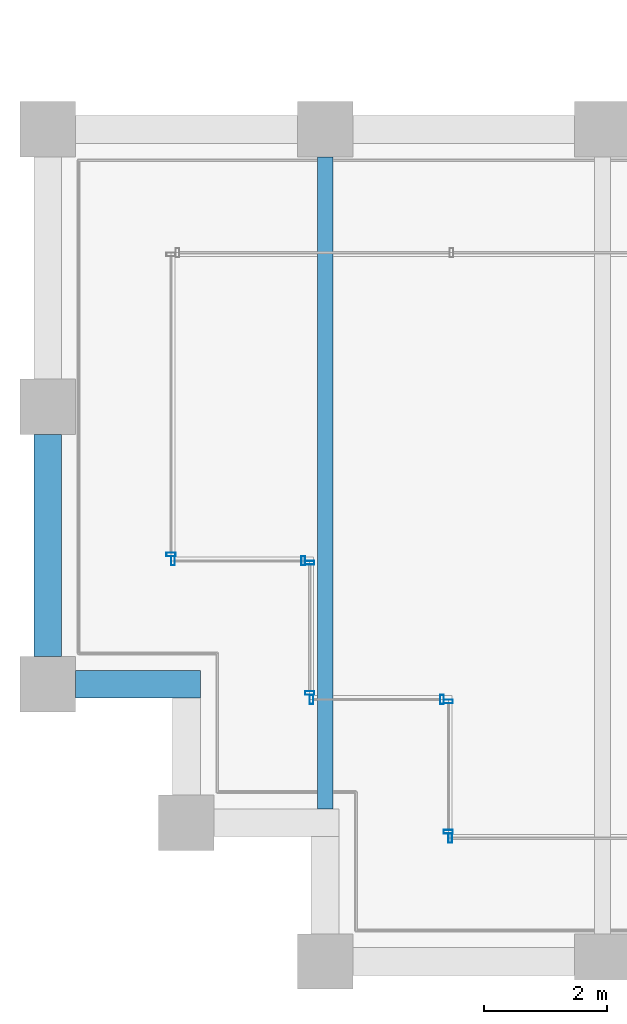
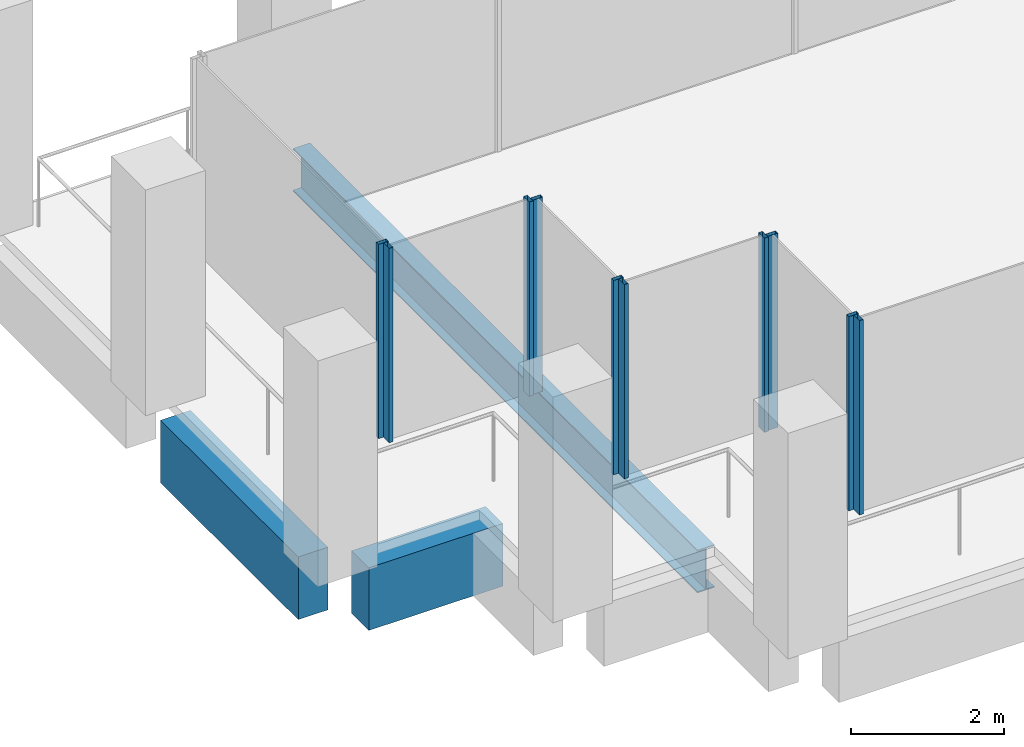
# One storey, part 2 of 40: 10 members, 3 beams, 6 elements without a shape of their own.
"""IFC4 building model written with IfcOpenShell, lengths in metres."""

import ifcopenshell
import ifcopenshell.guid

model = None  # the IFC model being written
_history = None  # IfcOwnerHistory: only IFC2X3 demands one
_inside = {}  # id of a spatial element -> (the spatial element, [elements in it])
_under = {}  # id of a project, library or spatial element -> (it, [spatial elements below it])
_declared = {}  # id of a project -> (the project, [libraries it declares])
_typed = {}  # id of a type object -> (the type object, [elements of that type])
_made_of = {}  # id of a material, layer set ... -> (it, [elements and type objects made of it])


def new_model(schema):
    """Start an empty IFC model of exactly this schema.

    Asked for "IFC4X3", IfcOpenShell would pick the latest addendum, in which some entities
    have other attributes; the version numbers below select the first issue.
    IFC2X3 requires an IfcOwnerHistory on every rooted entity: one is made here for all.
    """
    global model, _history
    if schema == "IFC4X3":
        model = ifcopenshell.file(schema_version=(4, 3, 0, 0))
    else:
        model = ifcopenshell.file(schema=schema)
    _inside.clear()
    _under.clear()
    _declared.clear()
    _typed.clear()
    _made_of.clear()
    _history = None
    if model.schema == "IFC2X3":
        org = make("IfcOrganization", Name="unknown")
        user = make(
            "IfcPersonAndOrganization",
            ThePerson=make("IfcPerson", FamilyName="unknown"),
            TheOrganization=org,
        )
        app = make(
            "IfcApplication",
            ApplicationDeveloper=org,
            Version="unknown",
            ApplicationFullName="unknown",
            ApplicationIdentifier="unknown",
        )
        _history = make(
            "IfcOwnerHistory",
            OwningUser=user,
            OwningApplication=app,
            ChangeAction="ADDED",
            CreationDate=0,
        )
    return model


def make(cls, **values):
    """One entity of the class cls with the attributes given. An attribute that is None is left unset."""
    return model.create_entity(
        cls, **{name: value for name, value in values.items() if value is not None}
    )


def rooted(cls, **values):
    """An entity with a GlobalId (a new one), such as an element, a storey or a relation."""
    return make(cls, GlobalId=ifcopenshell.guid.new(), OwnerHistory=_history, **values)


def si_unit(unit_type, name, prefix=None):
    """IfcSIUnit, for example si_unit("LENGTHUNIT", "METRE", prefix="MILLI")."""
    return make("IfcSIUnit", UnitType=unit_type, Prefix=prefix, Name=name)


def assignment(units):
    """IfcUnitAssignment: the units of a project."""
    return None if units is None else make("IfcUnitAssignment", Units=units)


def point(xyz):
    """IfcCartesianPoint."""
    return None if xyz is None else make("IfcCartesianPoint", Coordinates=xyz)


def direction(xyz):
    """IfcDirection."""
    return None if xyz is None else make("IfcDirection", DirectionRatios=xyz)


def frame(location, z_axis=None, x_axis=None):
    """IfcAxis2Placement3D, a coordinate frame: its origin and axes. An axis left out is left unset."""
    return make(
        "IfcAxis2Placement3D",
        Location=point(location),
        Axis=direction(z_axis),
        RefDirection=direction(x_axis),
    )


def frame_2d(location, x_axis=None):
    """IfcAxis2Placement2D, a coordinate frame in the plane: its origin and x axis."""
    return make(
        "IfcAxis2Placement2D", Location=point(location), RefDirection=direction(x_axis)
    )


def origin():
    """The frame at (0, 0, 0) with its axes left unset."""
    return frame((0.0, 0.0, 0.0))


def origin_2d():
    """The frame at (0, 0) in the plane with its x axis left unset."""
    return frame_2d((0.0, 0.0))


def place(relative_to, where):
    """IfcLocalPlacement: puts the frame where relative to a parent placement (None: the world)."""
    return make(
        "IfcLocalPlacement", PlacementRelTo=relative_to, RelativePlacement=where
    )


def context(
    kind, dimensions, precision=None, world=None, true_north=None, identifier=None
):
    """IfcGeometricRepresentationContext, for example the 3D "Model" context."""
    return make(
        "IfcGeometricRepresentationContext",
        ContextIdentifier=identifier,
        ContextType=kind,
        CoordinateSpaceDimension=dimensions,
        Precision=precision,
        WorldCoordinateSystem=world,
        TrueNorth=true_north,
    )


def subcontext(parent, identifier, kind, view, scale=None):
    """IfcGeometricRepresentationSubContext, for example "Body" below "Model"."""
    return make(
        "IfcGeometricRepresentationSubContext",
        ContextIdentifier=identifier,
        ContextType=kind,
        ParentContext=parent,
        TargetScale=scale,
        TargetView=view,
    )


def project(units=None, contexts=None):
    """IfcProject with its units and contexts."""
    return rooted(
        "IfcProject",
        Name="project",
        RepresentationContexts=contexts,
        UnitsInContext=assignment(units),
    )


def spatial(cls, under=None, at=None, **own):
    """A site, building, storey or space (cls), placed at a placement, below another one or the project."""
    s = rooted(cls, ObjectPlacement=at, **own)
    if under is not None:
        _under.setdefault(under.id(), (under, []))[1].append(s)
    return s


def profile(cls, at=None, kind="AREA", **sizes):
    """A parametric profile (cls). Its sizes go by their IFC names, for example OverallWidth=200.0."""
    return make(cls, ProfileType=kind, Position=at, **sizes)


def rectangle(**sizes):
    """IfcRectangleProfileDef."""
    return profile("IfcRectangleProfileDef", **sizes)


def hollow_rectangle(**sizes):
    """IfcRectangleHollowProfileDef."""
    return profile("IfcRectangleHollowProfileDef", **sizes)


def i_section(**sizes):
    """IfcIShapeProfileDef."""
    return profile("IfcIShapeProfileDef", **sizes)


def extrude(swept, where, along, depth):
    """IfcExtrudedAreaSolid: the profile swept, set in the frame where, extruded along a direction by depth."""
    return make(
        "IfcExtrudedAreaSolid",
        SweptArea=swept,
        Position=where,
        ExtrudedDirection=direction(along),
        Depth=depth,
    )


def shape(context_of_items, identifier, shape_type, items):
    """IfcShapeRepresentation: the items that make up one representation, for example the "Body"."""
    return make(
        "IfcShapeRepresentation",
        ContextOfItems=context_of_items,
        RepresentationIdentifier=identifier,
        RepresentationType=shape_type,
        Items=items,
    )


def material(Name=None, Category=None):
    """IfcMaterial."""
    return make("IfcMaterial", Name=Name, Category=Category)


def material_profile(
    of_material, cross_section, Name=None, Category=None, Priority=None
):
    """IfcMaterialProfile: a cross section and its material."""
    return make(
        "IfcMaterialProfile",
        Name=Name,
        Material=of_material,
        Profile=cross_section,
        Priority=Priority,
        Category=Category,
    )


def profile_set(profiles, Name=None, composite=None):
    """IfcMaterialProfileSet."""
    return make(
        "IfcMaterialProfileSet",
        Name=Name,
        MaterialProfiles=profiles,
        CompositeProfile=composite,
    )


def made_of(thing, what):
    """Note that an element or type object is made of a material, layer set ...; save() writes the relation."""
    if what is not None:
        _made_of.setdefault(what.id(), (what, []))[1].append(thing)
    return thing


def type_object(cls, material=None, **own):
    """A type object (cls), such as IfcWallType, which elements share."""
    return made_of(rooted(cls, **own), material)


def element(
    cls,
    number,
    at=None,
    inside=None,
    cuts=None,
    type_object=None,
    material=None,
    context=None,
    identifier="Body",
    shape_type=None,
    held_by="IfcProductDefinitionShape",
    body=None,
    shapes=None,
    **own,
):
    """One element of the class cls, such as IfcWall. Its Tag is "e" and its number.

    at: its placement. inside: the storey or other place that contains it. cuts: it is an
    opening in that element (IfcRelVoidsElement). A single representation is given by context,
    identifier, shape_type and body (its items); several are given by shapes. held_by: the class
    of the entity that holds the representations. save() writes the other relations.
    """
    e = rooted(cls, Tag="e%d" % number, ObjectPlacement=at, **own)
    if body is not None:
        shapes = [shape(context, identifier, shape_type, body)]
    if shapes is not None:
        e.Representation = make(held_by, Representations=shapes)
    if inside is not None:
        _inside.setdefault(inside.id(), (inside, []))[1].append(e)
    if cuts is not None:
        rooted(
            "IfcRelVoidsElement", RelatingBuildingElement=cuts, RelatedOpeningElement=e
        )
    if type_object is not None:
        _typed.setdefault(type_object.id(), (type_object, []))[1].append(e)
    return made_of(e, material)


def aggregate(whole, parts):
    """IfcRelAggregates: a whole, such as a stair, and the parts it consists of."""
    return rooted("IfcRelAggregates", RelatingObject=whole, RelatedObjects=parts)


def save(model, path):
    """Write the relations noted so far, then the file.

    IfcRelAggregates (storeys below a building ...), IfcRelContainedInSpatialStructure (elements
    in a storey), IfcRelDefinesByType, IfcRelAssociatesMaterial and IfcRelDeclares: one each for
    every whole, place, type object, material and project.
    """
    for whole, parts in _under.values():
        aggregate(whole, parts)
    for where, things in _inside.values():
        rooted(
            "IfcRelContainedInSpatialStructure",
            RelatedElements=things,
            RelatingStructure=where,
        )
    for kind, things in _typed.values():
        rooted("IfcRelDefinesByType", RelatedObjects=things, RelatingType=kind)
    for what, things in _made_of.values():
        rooted("IfcRelAssociatesMaterial", RelatedObjects=things, RelatingMaterial=what)
    for by, libraries in _declared.values():
        rooted("IfcRelDeclares", RelatingContext=by, RelatedDefinitions=libraries)
    model.write(path)


model = new_model("IFC4")

# Units and contexts
model_context = context("Model", 3, precision=1e-05, world=origin(), true_north=direction((0.0, 1.0)))
body_context = subcontext(model_context, "Body", "Model", "MODEL_VIEW")
ifc_project = project(units=[si_unit("LENGTHUNIT", "METRE"), si_unit("AREAUNIT", "SQUARE_METRE"), si_unit("VOLUMEUNIT", "CUBIC_METRE"), si_unit("PLANEANGLEUNIT", "RADIAN"), si_unit("MASSUNIT", "GRAM", prefix="KILO")], contexts=[model_context])

# Site, building, storey
site_placement = place(None, origin())
site = spatial("IfcSite", under=ifc_project, at=site_placement, CompositionType="ELEMENT")
building_placement = place(site_placement, origin())
building = spatial("IfcBuilding", under=site, at=building_placement, Name="Altepetl Exchange Towers", CompositionType="ELEMENT")
storey_placement = place(building_placement, frame((0.0, 0.0, 151.0)))
storey = spatial("IfcBuildingStorey", under=building, at=storey_placement, Name="L37", CompositionType="ELEMENT", Elevation=151.0)

# Beam
ifc_material_1 = material(Name="Steel S355", Category="steel")
ifc_material_profile_1 = material_profile(ifc_material_1, i_section(OverallWidth=0.25390625, OverallDepth=0.68408203125, WebThickness=0.012451171875, FlangeThickness=0.018798828125, at=origin_2d()), Name="W27X94")
ifc_profile_set_1 = profile_set([ifc_material_profile_1], Name="Steel S355")
beam_type_1 = type_object("IfcBeamType", Name="Floor beam W27X94", PredefinedType="BEAM", material=ifc_profile_set_1)
beam_1_placement = place(storey_placement, frame((31.5, 29.47509765625, -0.491943359375), z_axis=(0.0, 1.0, 0.0), x_axis=(-1.0, 0.0, 0.0)))
element("IfcBeam", 1, at=beam_1_placement, inside=storey, type_object=beam_type_1, Name="bm:A:L37:012", PredefinedType="BEAM", context=body_context, shape_type="SweptSolid", body=[
    extrude(i_section(OverallWidth=0.25390625, OverallDepth=0.68408203125, WebThickness=0.012451171875, FlangeThickness=0.018798828125, at=origin_2d()), origin(), (0.0, 0.0, 1.0), 10.574951171875),
])

# Curtain wall, member
ifc_material_2 = material(Name="Aluminium 6063-T6 glazing", Category="aluminium")
curtain_wall_type = type_object("IfcCurtainWallType", Name="Loggia glazing system", PredefinedType="NOTDEFINED", material=ifc_material_2)
curtain_wall_1_placement = place(storey_placement, origin())
curtain_wall_1 = element("IfcCurtainWall", 2, at=curtain_wall_1_placement, inside=storey, type_object=curtain_wall_type, Name="CW1 run", PredefinedType="NOTDEFINED")
ifc_material_3 = material(Name="Aluminium 6063-T6", Category="aluminium")
ifc_material_profile_2 = material_profile(ifc_material_3, hollow_rectangle(XDim=0.06005859375, YDim=0.14990234375, WallThickness=0.0029296875, at=origin_2d()), Name="Mullion 60x150 aluminium")
ifc_profile_set_2 = profile_set([ifc_material_profile_2], Name="Aluminium 6063-T6")
member_type = type_object("IfcMemberType", Name="Mullion 60x150 aluminium", PredefinedType="MULLION", material=ifc_profile_set_2)
member_1_placement = place(storey_placement, frame((29.0, 33.60498046875, 0.0), z_axis=(0.0, 0.0, 1.0), x_axis=(0.0, -1.0, 0.0)))
member_1 = element("IfcMember", 3, at=member_1_placement, type_object=member_type, Name="MU1 mullion", PredefinedType="MULLION", context=body_context, shape_type="SweptSolid", body=[
    extrude(hollow_rectangle(XDim=0.06005859375, YDim=0.14990234375, WallThickness=0.0029296875, at=origin_2d()), origin(), (0.0, 0.0, 1.0), 3.10009765625),
])
aggregate(curtain_wall_1, [member_1])

# Curtain wall, members
curtain_wall_2_placement = place(storey_placement, origin())
curtain_wall_2 = element("IfcCurtainWall", 4, at=curtain_wall_2_placement, inside=storey, type_object=curtain_wall_type, Name="CW1 run", PredefinedType="NOTDEFINED")
member_2_placement = place(storey_placement, frame((29.030029296875, 33.5, 0.0)))
member_2 = element("IfcMember", 5, at=member_2_placement, type_object=member_type, Name="MU1 mullion", PredefinedType="MULLION", context=body_context, shape_type="SweptSolid", body=[
    extrude(hollow_rectangle(XDim=0.06005859375, YDim=0.14990234375, WallThickness=0.0029296875, at=origin_2d()), origin(), (0.0, 0.0, 1.0), 3.10009765625),
])
member_3_placement = place(storey_placement, frame((31.14501953125, 33.5, 0.0)))
member_3 = element("IfcMember", 6, at=member_3_placement, type_object=member_type, Name="MU1 mullion", PredefinedType="MULLION", context=body_context, shape_type="SweptSolid", body=[
    extrude(hollow_rectangle(XDim=0.06005859375, YDim=0.14990234375, WallThickness=0.0029296875, at=origin_2d()), origin(), (0.0, 0.0, 1.0), 3.10009765625),
])
aggregate(curtain_wall_2, [member_2, member_3])

curtain_wall_3_placement = place(storey_placement, origin())
curtain_wall_3 = element("IfcCurtainWall", 7, at=curtain_wall_3_placement, inside=storey, type_object=curtain_wall_type, Name="CW1 run", PredefinedType="NOTDEFINED")
member_4_placement = place(storey_placement, frame((31.25, 33.469970703125, 0.0), z_axis=(0.0, 0.0, 1.0), x_axis=(0.0, -1.0, 0.0)))
member_4 = element("IfcMember", 8, at=member_4_placement, type_object=member_type, Name="MU1 mullion", PredefinedType="MULLION", context=body_context, shape_type="SweptSolid", body=[
    extrude(hollow_rectangle(XDim=0.06005859375, YDim=0.14990234375, WallThickness=0.0029296875, at=origin_2d()), origin(), (0.0, 0.0, 1.0), 3.10009765625),
])
member_5_placement = place(storey_placement, frame((31.25, 31.35498046875, 0.0), z_axis=(0.0, 0.0, 1.0), x_axis=(0.0, -1.0, 0.0)))
member_5 = element("IfcMember", 9, at=member_5_placement, type_object=member_type, Name="MU1 mullion", PredefinedType="MULLION", context=body_context, shape_type="SweptSolid", body=[
    extrude(hollow_rectangle(XDim=0.06005859375, YDim=0.14990234375, WallThickness=0.0029296875, at=origin_2d()), origin(), (0.0, 0.0, 1.0), 3.10009765625),
])
aggregate(curtain_wall_3, [member_4, member_5])

curtain_wall_4_placement = place(storey_placement, origin())
curtain_wall_4 = element("IfcCurtainWall", 10, at=curtain_wall_4_placement, inside=storey, type_object=curtain_wall_type, Name="CW1 run", PredefinedType="NOTDEFINED")
member_6_placement = place(storey_placement, frame((31.280029296875, 31.25, 0.0)))
member_6 = element("IfcMember", 11, at=member_6_placement, type_object=member_type, Name="MU1 mullion", PredefinedType="MULLION", context=body_context, shape_type="SweptSolid", body=[
    extrude(hollow_rectangle(XDim=0.06005859375, YDim=0.14990234375, WallThickness=0.0029296875, at=origin_2d()), origin(), (0.0, 0.0, 1.0), 3.10009765625),
])
member_7_placement = place(storey_placement, frame((33.39501953125, 31.25, 0.0)))
member_7 = element("IfcMember", 12, at=member_7_placement, type_object=member_type, Name="MU1 mullion", PredefinedType="MULLION", context=body_context, shape_type="SweptSolid", body=[
    extrude(hollow_rectangle(XDim=0.06005859375, YDim=0.14990234375, WallThickness=0.0029296875, at=origin_2d()), origin(), (0.0, 0.0, 1.0), 3.10009765625),
])
aggregate(curtain_wall_4, [member_6, member_7])

curtain_wall_5_placement = place(storey_placement, origin())
curtain_wall_5 = element("IfcCurtainWall", 13, at=curtain_wall_5_placement, inside=storey, type_object=curtain_wall_type, Name="CW1 run", PredefinedType="NOTDEFINED")
member_8_placement = place(storey_placement, frame((33.5, 31.219970703125, 0.0), z_axis=(0.0, 0.0, 1.0), x_axis=(0.0, -1.0, 0.0)))
member_8 = element("IfcMember", 14, at=member_8_placement, type_object=member_type, Name="MU1 mullion", PredefinedType="MULLION", context=body_context, shape_type="SweptSolid", body=[
    extrude(hollow_rectangle(XDim=0.06005859375, YDim=0.14990234375, WallThickness=0.0029296875, at=origin_2d()), origin(), (0.0, 0.0, 1.0), 3.10009765625),
])
member_9_placement = place(storey_placement, frame((33.5, 29.10498046875, 0.0), z_axis=(0.0, 0.0, 1.0), x_axis=(0.0, -1.0, 0.0)))
member_9 = element("IfcMember", 15, at=member_9_placement, type_object=member_type, Name="MU1 mullion", PredefinedType="MULLION", context=body_context, shape_type="SweptSolid", body=[
    extrude(hollow_rectangle(XDim=0.06005859375, YDim=0.14990234375, WallThickness=0.0029296875, at=origin_2d()), origin(), (0.0, 0.0, 1.0), 3.10009765625),
])
aggregate(curtain_wall_5, [member_8, member_9])

# Curtain wall, member
curtain_wall_6_placement = place(storey_placement, origin())
curtain_wall_6 = element("IfcCurtainWall", 16, at=curtain_wall_6_placement, inside=storey, type_object=curtain_wall_type, Name="CW1 run", PredefinedType="NOTDEFINED")
member_10_placement = place(storey_placement, frame((33.530029296875, 29.0, 0.0)))
member_10 = element("IfcMember", 17, at=member_10_placement, type_object=member_type, Name="MU1 mullion", PredefinedType="MULLION", context=body_context, shape_type="SweptSolid", body=[
    extrude(hollow_rectangle(XDim=0.06005859375, YDim=0.14990234375, WallThickness=0.0029296875, at=origin_2d()), origin(), (0.0, 0.0, 1.0), 3.10009765625),
])
aggregate(curtain_wall_6, [member_10])

# Beams
ifc_material_4 = material(Name="Concrete C50/60 precast with cantera blanca facing", Category="concrete")
ifc_material_profile_3 = material_profile(ifc_material_4, rectangle(XDim=0.449951171875, YDim=1.0, at=origin_2d()), Name="450 x 1000")
ifc_profile_set_3 = profile_set([ifc_material_profile_3], Name="Concrete C50/60 precast with cantera blanca facing")
beam_type_2 = type_object("IfcBeamType", Name="Spandrel beam 450x1000 cantera blanca", PredefinedType="SPANDREL", material=ifc_profile_set_3)
beam_2_placement = place(storey_placement, frame((27.0, 35.550048828125, -0.64990234375), z_axis=(0.0, -1.0, 0.0), x_axis=(1.0, 0.0, 0.0)))
element("IfcBeam", 18, at=beam_2_placement, inside=storey, type_object=beam_type_2, Name="sp:A:L37:037", PredefinedType="SPANDREL", context=body_context, shape_type="SweptSolid", body=[
    extrude(rectangle(XDim=0.449951171875, YDim=1.0, at=origin_2d()), origin(), (0.0, 0.0, 1.0), 3.60009765625),
])
beam_3_placement = place(storey_placement, frame((27.449951171875, 31.5, -0.64990234375), z_axis=(1.0, 0.0, 0.0), x_axis=(0.0, 1.0, 0.0)))
element("IfcBeam", 19, at=beam_3_placement, inside=storey, type_object=beam_type_2, Name="sp:A:L37:038", PredefinedType="SPANDREL", context=body_context, shape_type="SweptSolid", body=[
    extrude(rectangle(XDim=0.449951171875, YDim=1.0, at=origin_2d()), origin(), (0.0, 0.0, 1.0), 2.025146484375),
])

save(model, "model.ifc")
